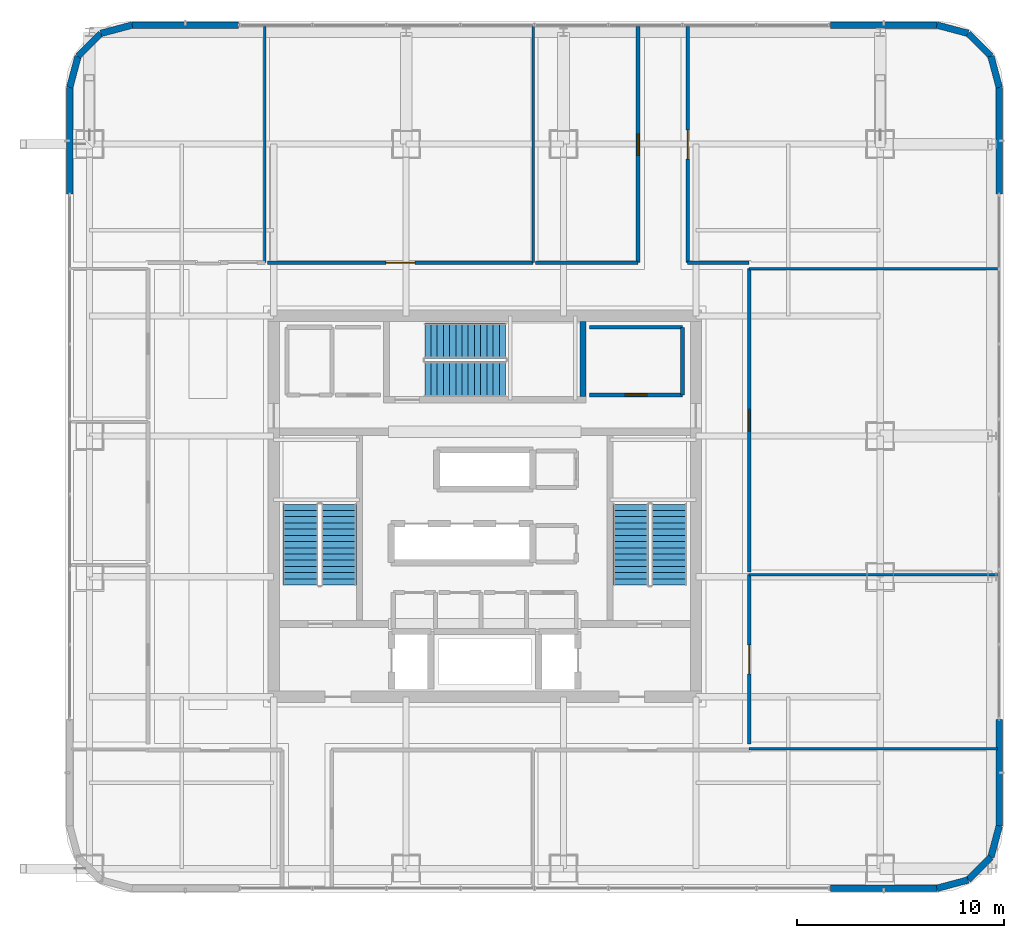
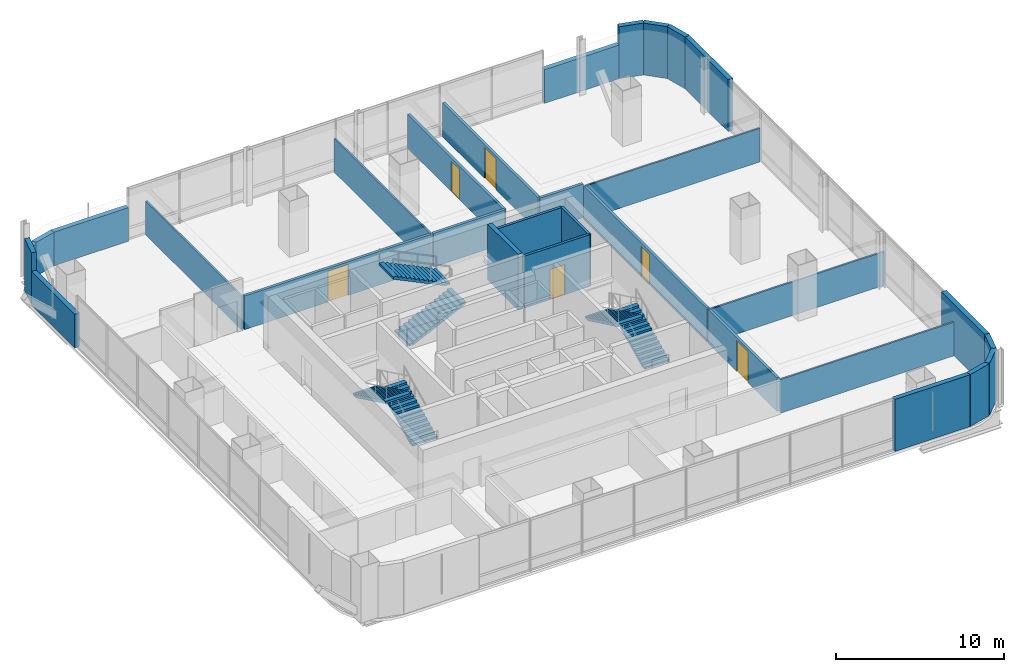
# One storey, part 38 of 51: 31 walls, 6 doors, 6 stair flights, 6 openings, 3 elements without a shape of their own.
"""IFC4 building model written with IfcOpenShell, lengths in metres."""

from ifc_helpers import new_model, si_unit, direction, frame, frame_2d, origin, place, context, subcontext, project, spatial, polyline, rectangle, outline, extrude, material, layer, layer_set, type_object, element, fill, aggregate, save


model = new_model("IFC4")

# Units and contexts
model_context = context("Model", 3, precision=1e-05, world=origin(), true_north=direction((0.0, 1.0)))
body_context = subcontext(model_context, "Body", "Model", "MODEL_VIEW")
ifc_project = project(units=[si_unit("LENGTHUNIT", "METRE"), si_unit("AREAUNIT", "SQUARE_METRE"), si_unit("VOLUMEUNIT", "CUBIC_METRE"), si_unit("PLANEANGLEUNIT", "RADIAN"), si_unit("MASSUNIT", "GRAM", prefix="KILO")], contexts=[model_context])

# Site, building, storey
site_placement = place(None, origin())
site = spatial("IfcSite", under=ifc_project, at=site_placement, CompositionType="ELEMENT")
building_placement = place(site_placement, origin())
building = spatial("IfcBuilding", under=site, at=building_placement, Name="Punatoya Terracotta Tower", CompositionType="ELEMENT")
storey_placement = place(building_placement, frame((0.0, 0.0, 279.75)))
storey = spatial("IfcBuildingStorey", under=building, at=storey_placement, Name="L66", CompositionType="ELEMENT", Elevation=279.75)

# Walls
ifc_material_1 = material(Name="Gypsum Fireboard + Steel Stud", Category="steel")
ifc_layer_1 = layer(ifc_material_1, 0.179931640625)
ifc_layer_set_1 = layer_set([ifc_layer_1], Name="Gypsum Fireboard + Steel Stud")
wall_type_1 = type_object("IfcWallType", Name="WL-CORR-180", PredefinedType="PARTITIONING", material=ifc_layer_set_1)
wall_1_placement = place(storey_placement, frame((9.550048828125, 5.3798828125, 0.0), z_axis=(0.0, 0.0, 1.0), x_axis=(0.0, 1.0, 0.0)))
element("IfcWall", 1, at=wall_1_placement, inside=storey, type_object=wall_type_1, Name="L66 East Core Wellness Room Partition 22", PredefinedType="PARTITIONING", context=body_context, shape_type="SweptSolid", body=[
    extrude(rectangle(XDim=3.27001953125, YDim=0.179931640625, at=frame_2d((1.635009765625, 0.0))), origin(), (0.0, 0.0, 1.0), 3.77001953125),
])
wall_2_placement = place(storey_placement, frame((9.550048828125, 8.64990234375, 0.0), z_axis=(0.0, 0.0, 1.0), x_axis=(-1.0, 0.0, 0.0)))
element("IfcWall", 2, at=wall_2_placement, inside=storey, type_object=wall_type_1, Name="L66 East Core Wellness Room Partition 23", PredefinedType="PARTITIONING", context=body_context, shape_type="SweptSolid", body=[
    extrude(rectangle(XDim=4.5, YDim=0.179931640625, at=frame_2d((2.25, 0.0))), origin(), (0.0, 0.0, 1.0), 3.77001953125),
])

# Wall, opening, door
wall_3_placement = place(storey_placement, frame((5.050048828125, 5.3798828125, 0.0), z_axis=(0.0, 0.0, 1.0), x_axis=(1.0, 0.0, 0.0)))
wall_3 = element("IfcWall", 3, at=wall_3_placement, inside=storey, type_object=wall_type_1, Name="L66 East Core Wellness Room Partition 24", PredefinedType="PARTITIONING", context=body_context, shape_type="SweptSolid", body=[
    extrude(rectangle(XDim=4.5, YDim=0.179931640625, at=frame_2d((2.25, 0.0))), origin(), (0.0, 0.0, 1.0), 3.77001953125),
])
opening_1_placement = place(wall_3_placement, frame((1.72509765625, 0.0, 0.0)))
opening_1 = element("IfcOpeningElement", 4, at=opening_1_placement, cuts=wall_3, Name="Opening OD-01", PredefinedType="OPENING", context=body_context, shape_type="SweptSolid", body=[
    extrude(rectangle(XDim=1.050048828125, YDim=2.199951171875, at=frame_2d((0.52490234375, 1.10009765625))), frame((0.0, 0.099853515625, 0.0), z_axis=(0.0, -1.0, 0.0), x_axis=(1.0, 0.0, 0.0)), (0.0, 0.0, 1.0), 0.199951171875),
])
ifc_material_2 = material(Name="Bengal Teak Solid-Core Leaf")
door_type_1 = type_object("IfcDoorType", Name="DR-OFF-1050", OperationType="NOTDEFINED", PredefinedType="DOOR", material=ifc_material_2)
door_1_placement = place(opening_1_placement, origin())
door_1 = element("IfcDoor", 5, at=door_1_placement, inside=storey, type_object=door_type_1, Name="L66 East Wellness Room Door", OperationType="SINGLE_SWING_RIGHT", OverallHeight=2.199951171875, OverallWidth=1.050048828125, PredefinedType="DOOR", context=body_context, shape_type="SweptSolid", body=[
    extrude(rectangle(XDim=1.050048828125, YDim=2.199951171875, at=frame_2d((0.52490234375, 1.10009765625))), frame((0.0, 0.02490234375, 0.0), z_axis=(0.0, -1.0, 0.0), x_axis=(1.0, 0.0, 0.0)), (0.0, 0.0, 1.0), 0.050048828125),
])
fill(opening_1, door_1)

wall_4_placement = place(storey_placement, frame((12.77001953125, -11.489990234375, 0.0), z_axis=(0.0, 0.0, 1.0), x_axis=(0.0, 1.0, 0.0)))
wall_4 = element("IfcWall", 6, at=wall_4_placement, inside=storey, type_object=wall_type_1, Name="L66 Open-Plan Executive Briefing Room Partition 33", PredefinedType="PARTITIONING", context=body_context, shape_type="SweptSolid", body=[
    extrude(rectangle(XDim=8.196044921875, YDim=0.179931640625, at=frame_2d((4.09814453125, 0.0))), origin(), (0.0, 0.0, 1.0), 2.444091796875),
])
opening_2_placement = place(wall_4_placement, frame((3.39794921875, 0.0, 0.0)))
opening_2 = element("IfcOpeningElement", 7, at=opening_2_placement, cuts=wall_4, Name="Opening BD-01", PredefinedType="OPENING", context=body_context, shape_type="SweptSolid", body=[
    extrude(rectangle(XDim=1.39990234375, YDim=2.25, at=frame_2d((0.699951171875, 1.125))), frame((0.0, 0.099853515625, 0.0), z_axis=(0.0, -1.0, 0.0), x_axis=(1.0, 0.0, 0.0)), (0.0, 0.0, 1.0), 0.199951171875),
])
ifc_material_3 = material(Name="Bengal Teak Acoustic Leaf")
door_type_2 = type_object("IfcDoorType", Name="DR-BRD-1400", OperationType="NOTDEFINED", PredefinedType="DOOR", material=ifc_material_3)
door_2_placement = place(opening_2_placement, origin())
door_2 = element("IfcDoor", 8, at=door_2_placement, inside=storey, type_object=door_type_2, Name="L66 Open-Plan Executive Briefing Room Door", OperationType="SINGLE_SWING_RIGHT", OverallHeight=2.25, OverallWidth=1.39990234375, PredefinedType="DOOR", context=body_context, shape_type="SweptSolid", body=[
    extrude(rectangle(XDim=1.39990234375, YDim=2.25, at=frame_2d((0.699951171875, 1.125))), frame((0.0, 0.02490234375, 0.0), z_axis=(0.0, -1.0, 0.0), x_axis=(1.0, 0.0, 0.0)), (0.0, 0.0, 1.0), 0.050048828125),
])
fill(opening_2, door_2)

wall_5_placement = place(storey_placement, frame((12.77001953125, -3.174072265625, 0.0), z_axis=(0.0, 0.0, 1.0), x_axis=(0.0, 1.0, 0.0)))
wall_5 = element("IfcWall", 9, at=wall_5_placement, inside=storey, type_object=wall_type_1, Name="L66 Wellness Focus Room Partition 39", PredefinedType="PARTITIONING", context=body_context, shape_type="SweptSolid", body=[
    extrude(rectangle(XDim=14.6640625, YDim=0.179931640625, at=frame_2d((7.33203125, 0.0))), origin(), (0.0, 0.0, 1.0), 2.444091796875),
])
opening_3_placement = place(wall_5_placement, frame((6.806884765625, 0.0, 0.0)))
opening_3 = element("IfcOpeningElement", 10, at=opening_3_placement, cuts=wall_5, Name="Opening OD-01", PredefinedType="OPENING", context=body_context, shape_type="SweptSolid", body=[
    extrude(rectangle(XDim=1.050048828125, YDim=2.199951171875, at=frame_2d((0.52490234375, 1.10009765625))), frame((0.0, 0.099853515625, 0.0), z_axis=(0.0, -1.0, 0.0), x_axis=(1.0, 0.0, 0.0)), (0.0, 0.0, 1.0), 0.199951171875),
])
door_3_placement = place(opening_3_placement, origin())
door_3 = element("IfcDoor", 11, at=door_3_placement, inside=storey, type_object=door_type_1, Name="L66 Wellness Focus Room Door", OperationType="SINGLE_SWING_LEFT", OverallHeight=2.199951171875, OverallWidth=1.050048828125, PredefinedType="DOOR", context=body_context, shape_type="SweptSolid", body=[
    extrude(rectangle(XDim=1.050048828125, YDim=2.199951171875, at=frame_2d((0.52490234375, 1.10009765625))), frame((0.0, 0.02490234375, 0.0), z_axis=(0.0, -1.0, 0.0), x_axis=(1.0, 0.0, 0.0)), (0.0, 0.0, 1.0), 0.050048828125),
])
fill(opening_3, door_3)

wall_6_placement = place(storey_placement, frame((9.800048828125, 11.77001953125, 0.0), z_axis=(0.0, 0.0, 1.0), x_axis=(0.0, 1.0, 0.0)))
wall_6 = element("IfcWall", 12, at=wall_6_placement, inside=storey, type_object=wall_type_1, Name="L66 Roundtable Conference Room Partition 47", PredefinedType="PARTITIONING", context=body_context, shape_type="SweptSolid", body=[
    extrude(rectangle(XDim=11.39990234375, YDim=0.179931640625, at=frame_2d((5.699951171875, 0.0))), origin(), (0.0, 0.0, 1.0), 2.444091796875),
])
opening_4_placement = place(wall_6_placement, frame((5.0, 0.0, 0.0)))
opening_4 = element("IfcOpeningElement", 13, at=opening_4_placement, cuts=wall_6, Name="Opening BD-01", PredefinedType="OPENING", context=body_context, shape_type="SweptSolid", body=[
    extrude(rectangle(XDim=1.39990234375, YDim=2.25, at=frame_2d((0.699951171875, 1.125))), frame((0.0, 0.099853515625, 0.0), z_axis=(0.0, -1.0, 0.0), x_axis=(1.0, 0.0, 0.0)), (0.0, 0.0, 1.0), 0.199951171875),
])
door_4_placement = place(opening_4_placement, origin())
door_4 = element("IfcDoor", 14, at=door_4_placement, inside=storey, type_object=door_type_2, Name="L66 Roundtable Conference Room Door", OperationType="SINGLE_SWING_RIGHT", OverallHeight=2.25, OverallWidth=1.39990234375, PredefinedType="DOOR", context=body_context, shape_type="SweptSolid", body=[
    extrude(rectangle(XDim=1.39990234375, YDim=2.25, at=frame_2d((0.699951171875, 1.125))), frame((0.0, 0.02490234375, 0.0), z_axis=(0.0, -1.0, 0.0), x_axis=(1.0, 0.0, 0.0)), (0.0, 0.0, 1.0), 0.050048828125),
])
fill(opening_4, door_4)

# Wall
wall_7_placement = place(storey_placement, frame((12.77001953125, 11.77001953125, 0.0), z_axis=(0.0, 0.0, 1.0), x_axis=(-1.0, 0.0, 0.0)))
element("IfcWall", 15, at=wall_7_placement, inside=storey, type_object=wall_type_1, Name="L66 Roundtable Conference Room Partition 48", PredefinedType="PARTITIONING", context=body_context, shape_type="SweptSolid", body=[
    extrude(rectangle(XDim=2.969970703125, YDim=0.179931640625, at=frame_2d((1.48486328125, 0.0))), origin(), (0.0, 0.0, 1.0), 2.444091796875),
])

# Wall, opening, door
wall_8_placement = place(storey_placement, frame((2.340087890625, 11.77001953125, 0.0), z_axis=(0.0, 0.0, 1.0), x_axis=(-1.0, 0.0, 0.0)))
wall_8 = element("IfcWall", 16, at=wall_8_placement, inside=storey, type_object=wall_type_1, Name="L66 Open-Plan Translation Conference Room Partition 50", PredefinedType="PARTITIONING", context=body_context, shape_type="SweptSolid", body=[
    extrude(rectangle(XDim=12.843994140625, YDim=0.179931640625, at=frame_2d((6.421875, 0.0))), origin(), (0.0, 0.0, 1.0), 2.444091796875),
])
opening_5_placement = place(wall_8_placement, frame((5.721923828125, 0.0, 0.0)))
opening_5 = element("IfcOpeningElement", 17, at=opening_5_placement, cuts=wall_8, Name="Opening BD-01", PredefinedType="OPENING", context=body_context, shape_type="SweptSolid", body=[
    extrude(rectangle(XDim=1.39990234375, YDim=2.25, at=frame_2d((0.699951171875, 1.125))), frame((0.0, 0.099853515625, 0.0), z_axis=(0.0, -1.0, 0.0), x_axis=(1.0, 0.0, 0.0)), (0.0, 0.0, 1.0), 0.199951171875),
])
door_5_placement = place(opening_5_placement, origin())
door_5 = element("IfcDoor", 18, at=door_5_placement, inside=storey, type_object=door_type_2, Name="L66 Open-Plan Translation Conference Room Door", OperationType="SINGLE_SWING_LEFT", OverallHeight=2.25, OverallWidth=1.39990234375, PredefinedType="DOOR", context=body_context, shape_type="SweptSolid", body=[
    extrude(rectangle(XDim=1.39990234375, YDim=2.25, at=frame_2d((0.699951171875, 1.125))), frame((0.0, 0.02490234375, 0.0), z_axis=(0.0, -1.0, 0.0), x_axis=(1.0, 0.0, 0.0)), (0.0, 0.0, 1.0), 0.050048828125),
])
fill(opening_5, door_5)

wall_9_placement = place(storey_placement, frame((7.39990234375, 23.169921875, 0.0), z_axis=(0.0, 0.0, 1.0), x_axis=(0.0, -1.0, 0.0)))
wall_9 = element("IfcWall", 19, at=wall_9_placement, inside=storey, type_object=wall_type_1, Name="L66 Open-Plan Plenary Seminar Room Partition 51", PredefinedType="PARTITIONING", context=body_context, shape_type="SweptSolid", body=[
    extrude(rectangle(XDim=11.39990234375, YDim=0.179931640625, at=frame_2d((5.699951171875, 0.0))), origin(), (0.0, 0.0, 1.0), 2.444091796875),
])
opening_6_placement = place(wall_9_placement, frame((5.18994140625, 0.0, 0.0)))
opening_6 = element("IfcOpeningElement", 20, at=opening_6_placement, cuts=wall_9, Name="Opening MD-01", PredefinedType="OPENING", context=body_context, shape_type="SweptSolid", body=[
    extrude(rectangle(XDim=1.02001953125, YDim=2.199951171875, at=frame_2d((0.510009765625, 1.10009765625))), frame((0.0, 0.099853515625, 0.0), z_axis=(0.0, -1.0, 0.0), x_axis=(1.0, 0.0, 0.0)), (0.0, 0.0, 1.0), 0.199951171875),
])
ifc_material_4 = material(Name="Aluminium + Acoustic Glass Leaf", Category="aluminium")
door_type_3 = type_object("IfcDoorType", Name="DR-MTG-1020", OperationType="NOTDEFINED", PredefinedType="DOOR", material=ifc_material_4)
door_6_placement = place(opening_6_placement, origin())
door_6 = element("IfcDoor", 21, at=door_6_placement, inside=storey, type_object=door_type_3, Name="L66 Open-Plan Plenary Seminar Room Door", OperationType="SINGLE_SWING_RIGHT", OverallHeight=2.199951171875, OverallWidth=1.02001953125, PredefinedType="DOOR", context=body_context, shape_type="SweptSolid", body=[
    extrude(rectangle(XDim=1.02001953125, YDim=2.199951171875, at=frame_2d((0.510009765625, 1.10009765625))), frame((0.0, 0.02490234375, 0.0), z_axis=(0.0, -1.0, 0.0), x_axis=(1.0, 0.0, 0.0)), (0.0, 0.0, 1.0), 0.050048828125),
])
fill(opening_6, door_6)

# Walls
wall_10_placement = place(storey_placement, frame((7.39990234375, 11.77001953125, 0.0), z_axis=(0.0, 0.0, 1.0), x_axis=(-1.0, 0.0, 0.0)))
element("IfcWall", 22, at=wall_10_placement, inside=storey, type_object=wall_type_1, Name="L66 Open-Plan Plenary Seminar Room Partition 52", PredefinedType="PARTITIONING", context=body_context, shape_type="SweptSolid", body=[
    extrude(rectangle(XDim=4.93994140625, YDim=0.179931640625, at=frame_2d((2.469970703125, 0.0))), origin(), (0.0, 0.0, 1.0), 2.444091796875),
])
ifc_material_5 = material(Name="Precast concrete C40/50", Category="concrete")
ifc_layer_2 = layer(ifc_material_5, 0.320068359375)
ifc_layer_set_2 = layer_set([ifc_layer_2], Name="Precast concrete C40/50")
wall_type_2 = type_object("IfcWallType", Name="WL-EXT-320", PredefinedType="SOLIDWALL", material=ifc_layer_set_2)
wall_11_placement = place(storey_placement, frame((16.699951171875, -18.449951171875, 0.0), z_axis=(0.0, 0.0, 1.0), x_axis=(1.0, 0.0, 0.0)))
element("IfcWall", 23, at=wall_11_placement, inside=storey, type_object=wall_type_2, Name="L66 Terracotta Braced Facade Wall S2", PredefinedType="SOLIDWALL", context=body_context, shape_type="SweptSolid", body=[
    extrude(rectangle(XDim=5.136962890625, YDim=0.320068359375, at=frame_2d((2.568359375, 0.0))), origin(), (0.0, 0.0, 1.0), 3.77001953125),
])
wall_12_placement = place(storey_placement, frame((21.8369140625, -18.449951171875, 0.0), z_axis=(0.0, 0.0, 1.0), x_axis=(0.966224582397, 0.257701486942, 0.0)))
element("IfcWall", 24, at=wall_12_placement, inside=storey, type_object=wall_type_2, Name="L66 Rounded Terracotta Corner Pier 02", PredefinedType="SOLIDWALL", context=body_context, shape_type="SweptSolid", body=[
    extrude(rectangle(XDim=1.565185546875, YDim=0.320068359375, at=frame_2d((0.78271484375, 0.0))), origin(), (0.0, 0.0, 1.0), 3.77001953125),
])
wall_13_placement = place(storey_placement, frame((23.34912109375, -18.046630859375, 0.0), z_axis=(0.0, 0.0, 1.0), x_axis=(0.707106781187, 0.707106781187, 0.0)))
element("IfcWall", 25, at=wall_13_placement, inside=storey, type_object=wall_type_2, Name="L66 Rounded Terracotta Corner Pier 03", PredefinedType="SOLIDWALL", context=body_context, shape_type="SweptSolid", body=[
    extrude(rectangle(XDim=1.552001953125, YDim=0.320068359375, at=frame_2d((0.77587890625, 0.0))), origin(), (0.0, 0.0, 1.0), 3.77001953125),
])
wall_14_placement = place(storey_placement, frame((24.446533203125, -16.94921875, 0.0), z_axis=(0.0, 0.0, 1.0), x_axis=(0.257847112249, 0.966185730957, 0.0)))
element("IfcWall", 26, at=wall_14_placement, inside=storey, type_object=wall_type_2, Name="L66 Rounded Terracotta Corner Pier 04", PredefinedType="SOLIDWALL", context=body_context, shape_type="SweptSolid", body=[
    extrude(rectangle(XDim=1.565185546875, YDim=0.320068359375, at=frame_2d((0.78271484375, 0.0))), origin(), (0.0, 0.0, 1.0), 3.77001953125),
])
wall_15_placement = place(storey_placement, frame((24.85009765625, -15.43701171875, 0.0), z_axis=(0.0, 0.0, 1.0), x_axis=(0.0, 1.0, 0.0)))
element("IfcWall", 27, at=wall_15_placement, inside=storey, type_object=wall_type_2, Name="L66 Terracotta Braced Facade Wall E1", PredefinedType="SOLIDWALL", context=body_context, shape_type="SweptSolid", body=[
    extrude(rectangle(XDim=5.136962890625, YDim=0.320068359375, at=frame_2d((2.568359375, 0.0))), origin(), (0.0, 0.0, 1.0), 3.77001953125),
])
wall_16_placement = place(storey_placement, frame((24.85009765625, 15.10009765625, 0.0), z_axis=(0.0, 0.0, 1.0), x_axis=(0.0, 1.0, 0.0)))
element("IfcWall", 28, at=wall_16_placement, inside=storey, type_object=wall_type_2, Name="L66 Terracotta Braced Facade Wall E2", PredefinedType="SOLIDWALL", context=body_context, shape_type="SweptSolid", body=[
    extrude(rectangle(XDim=5.13671875, YDim=0.320068359375, at=frame_2d((2.568359375, 0.0))), origin(), (0.0, 0.0, 1.0), 3.77001953125),
])
wall_17_placement = place(storey_placement, frame((24.85009765625, 20.23681640625, 0.0), z_axis=(0.0, 0.0, 1.0), x_axis=(-0.257847112249, 0.966185730957, 0.0)))
element("IfcWall", 29, at=wall_17_placement, inside=storey, type_object=wall_type_2, Name="L66 Rounded Terracotta Corner Pier 06", PredefinedType="SOLIDWALL", context=body_context, shape_type="SweptSolid", body=[
    extrude(rectangle(XDim=1.565185546875, YDim=0.320068359375, at=frame_2d((0.78271484375, 0.0))), origin(), (0.0, 0.0, 1.0), 3.77001953125),
])
wall_18_placement = place(storey_placement, frame((24.446533203125, 21.7490234375, 0.0), z_axis=(0.0, 0.0, 1.0), x_axis=(-0.707028130747, 0.707185422879, 0.0)))
element("IfcWall", 30, at=wall_18_placement, inside=storey, type_object=wall_type_2, Name="L66 Rounded Terracotta Corner Pier 07", PredefinedType="SOLIDWALL", context=body_context, shape_type="SweptSolid", body=[
    extrude(rectangle(XDim=1.55224609375, YDim=0.320068359375, at=frame_2d((0.776123046875, 0.0))), origin(), (0.0, 0.0, 1.0), 3.77001953125),
])
wall_19_placement = place(storey_placement, frame((23.34912109375, 22.8466796875, 0.0), z_axis=(0.0, 0.0, 1.0), x_axis=(-0.966224582397, 0.257701486942, 0.0)))
element("IfcWall", 31, at=wall_19_placement, inside=storey, type_object=wall_type_2, Name="L66 Rounded Terracotta Corner Pier 08", PredefinedType="SOLIDWALL", context=body_context, shape_type="SweptSolid", body=[
    extrude(rectangle(XDim=1.565185546875, YDim=0.320068359375, at=frame_2d((0.78271484375, 0.0))), origin(), (0.0, 0.0, 1.0), 3.77001953125),
])
for number, where, z_axis, x_axis, name in (
    (32, (21.8369140625, 23.25, 0.0), (0.0, 0.0, 1.0), (-1.0, 0.0, 0.0), "L66 Terracotta Braced Facade Wall N1"),
    (33, (-11.89990234375, 23.25, 0.0), (0.0, 0.0, 1.0), (-1.0, 0.0, 0.0), "L66 Terracotta Braced Facade Wall N2"),
):
    element("IfcWall", number, at=place(storey_placement, frame(where, z_axis=z_axis, x_axis=x_axis)), inside=storey, type_object=wall_type_2, Name=name, PredefinedType="SOLIDWALL", context=body_context, shape_type="SweptSolid", body=[
        extrude(rectangle(XDim=5.136962890625, YDim=0.320068359375, at=frame_2d((2.568359375, 0.0))), origin(), (0.0, 0.0, 1.0), 2.444091796875),
    ])
wall_20_placement = place(storey_placement, frame((-17.036865234375, 23.25, 0.0), z_axis=(0.0, 0.0, 1.0), x_axis=(-0.966224582397, -0.257701486942, 0.0)))
element("IfcWall", 34, at=wall_20_placement, inside=storey, type_object=wall_type_2, Name="L66 Rounded Terracotta Corner Pier 10", PredefinedType="SOLIDWALL", context=body_context, shape_type="SweptSolid", body=[
    extrude(rectangle(XDim=1.565185546875, YDim=0.320068359375, at=frame_2d((0.78271484375, 0.0))), origin(), (0.0, 0.0, 1.0), 2.444091796875),
])
wall_21_placement = place(storey_placement, frame((-18.549072265625, 22.8466796875, 0.0), z_axis=(0.0, 0.0, 1.0), x_axis=(-0.707028130747, -0.707185422879, 0.0)))
element("IfcWall", 35, at=wall_21_placement, inside=storey, type_object=wall_type_2, Name="L66 Rounded Terracotta Corner Pier 11", PredefinedType="SOLIDWALL", context=body_context, shape_type="SweptSolid", body=[
    extrude(rectangle(XDim=1.55224609375, YDim=0.320068359375, at=frame_2d((0.776123046875, 0.0))), origin(), (0.0, 0.0, 1.0), 2.444091796875),
])
wall_22_placement = place(storey_placement, frame((-19.646484375, 21.7490234375, 0.0), z_axis=(0.0, 0.0, 1.0), x_axis=(-0.257847112249, -0.966185730957, 0.0)))
element("IfcWall", 36, at=wall_22_placement, inside=storey, type_object=wall_type_2, Name="L66 Rounded Terracotta Corner Pier 12", PredefinedType="SOLIDWALL", context=body_context, shape_type="SweptSolid", body=[
    extrude(rectangle(XDim=1.565185546875, YDim=0.320068359375, at=frame_2d((0.78271484375, 0.0))), origin(), (0.0, 0.0, 1.0), 3.77001953125),
])
wall_23_placement = place(storey_placement, frame((-20.050048828125, 20.23681640625, 0.0), z_axis=(0.0, 0.0, 1.0), x_axis=(0.0, -1.0, 0.0)))
element("IfcWall", 37, at=wall_23_placement, inside=storey, type_object=wall_type_2, Name="L66 Terracotta Braced Facade Wall W1", PredefinedType="SOLIDWALL", context=body_context, shape_type="SweptSolid", body=[
    extrude(rectangle(XDim=5.13671875, YDim=0.320068359375, at=frame_2d((2.568359375, 0.0))), origin(), (0.0, 0.0, 1.0), 2.444091796875),
])
ifc_material_6 = material(Name="Gypsum Partition + Steel Stud", Category="steel")
ifc_layer_3 = layer(ifc_material_6, 0.1201171875)
ifc_layer_set_3 = layer_set([ifc_layer_3], Name="Gypsum Partition + Steel Stud")
wall_type_3 = type_object("IfcWallType", Name="WL-OFF-120", PredefinedType="PARTITIONING", material=ifc_layer_set_3)
for number, where, z_axis, x_axis, name in (
    (38, (12.77001953125, -11.7099609375, 0.0), (0.0, 0.0, 1.0), (1.0, 0.0, 0.0), "L66 Open-Plan Collaborative Workshop Room Partition 32"),
    (39, (12.77001953125, -3.2939453125, 0.0), (0.0, 0.0, 1.0), (1.0, 0.0, 0.0), "L66 Open-Plan Executive Briefing Room Partition 34"),
    (40, (12.77001953125, 11.489990234375, 0.0), (0.0, 0.0, 1.0), (1.0, 0.0, 0.0), "L66 Wellness Focus Room Partition 40"),
):
    element("IfcWall", number, at=place(storey_placement, frame(where, z_axis=z_axis, x_axis=x_axis)), inside=storey, type_object=wall_type_3, Name=name, PredefinedType="PARTITIONING", context=body_context, shape_type="SweptSolid", body=[
        extrude(rectangle(XDim=12.0, YDim=0.1201171875, at=frame_2d((6.0, 0.0))), origin(), (0.0, 0.0, 1.0), 2.444091796875),
    ])
for number, where, z_axis, x_axis, name in (
    (41, (-10.6240234375, 23.169921875, 0.0), (0.0, 0.0, 1.0), (0.0, -1.0, 0.0), "L66 Open-Plan Symposium Colloquium Room Partition 43"),
    (42, (2.340087890625, 23.169921875, 0.0), (0.0, 0.0, 1.0), (0.0, -1.0, 0.0), "L66 Open-Plan Translation Conference Room Partition 49"),
):
    element("IfcWall", number, at=place(storey_placement, frame(where, z_axis=z_axis, x_axis=x_axis)), inside=storey, type_object=wall_type_3, Name=name, PredefinedType="PARTITIONING", context=body_context, shape_type="SweptSolid", body=[
        extrude(rectangle(XDim=11.39990234375, YDim=0.1201171875, at=frame_2d((5.699951171875, 0.0))), origin(), (0.0, 0.0, 1.0), 2.444091796875),
    ])
ifc_material_7 = material(Name="Concrete C40/50", Category="concrete")
ifc_layer_4 = layer(ifc_material_7, 0.300048828125)
ifc_layer_set_4 = layer_set([ifc_layer_4], Name="Concrete C40/50")
wall_type_4 = type_object("IfcWallType", Name="WL-SHF-300", PredefinedType="SOLIDWALL", material=ifc_layer_set_4)
wall_24_placement = place(storey_placement, frame((4.75, 8.925048828125, 0.0), z_axis=(0.0, 0.0, 1.0), x_axis=(0.0, -1.0, 0.0)))
element("IfcWall", 43, at=wall_24_placement, inside=storey, type_object=wall_type_4, Name="L66 Structural Stair Shaft Wall SW-ST3-E", PredefinedType="SOLIDWALL", context=body_context, shape_type="SweptSolid", body=[
    extrude(rectangle(XDim=3.625, YDim=0.300048828125, at=frame_2d((1.8125, 0.0))), origin(), (0.0, 0.0, 1.0), 4.050048828125),
])

# Stair, stair flights
stair_type_1 = type_object("IfcStairType", Name="STR-CORE-1550", PredefinedType="HALF_TURN_STAIR", material=ifc_material_7)
stair_1_placement = place(storey_placement, origin())
stair_1 = element("IfcStair", 44, at=stair_1_placement, inside=storey, type_object=stair_type_1, Name="L66 Protected Core Exit Stair ST-1", PredefinedType="HALF_TURN_STAIR")
stair_flight_type_1 = type_object("IfcStairFlightType", Name="SFL-CORE-1550", PredefinedType="STRAIGHT", material=ifc_material_7)
stair_flight_1_placement = place(storey_placement, frame((-7.050048828125, -3.800048828125, 0.0), z_axis=(0.0, 0.0, 1.0), x_axis=(0.0, 1.0, 0.0)))
stair_flight_1 = element("IfcStairFlight", 45, at=stair_flight_1_placement, type_object=stair_flight_type_1, Name="ST-1 flight 1", NumberOfRisers=14, NumberOfTreads=13, PredefinedType="STRAIGHT", RiserHeight=0.144642857, TreadLength=0.3, context=body_context, shape_type="SweptSolid", body=[
    extrude(outline(polyline([(0.0, 0.0), (0.0, 0.14453125), (0.300048828125, 0.14453125), (0.300048828125, 0.289306640625), (0.60009765625, 0.289306640625), (0.60009765625, 0.433837890625), (0.89990234375, 0.433837890625), (0.89990234375, 0.57861328125), (1.199951171875, 0.57861328125), (1.199951171875, 0.72314453125), (1.5, 0.72314453125), (1.5, 0.867919921875), (1.800048828125, 0.867919921875), (1.800048828125, 1.012451171875), (2.10009765625, 1.012451171875), (2.10009765625, 1.1572265625), (2.39990234375, 1.1572265625), (2.39990234375, 1.3017578125), (2.699951171875, 1.3017578125), (2.699951171875, 1.446533203125), (3.0, 1.446533203125), (3.0, 1.591064453125), (3.300048828125, 1.591064453125), (3.300048828125, 1.735595703125), (3.60009765625, 1.735595703125), (3.60009765625, 1.88037109375), (3.89990234375, 1.88037109375), (3.89990234375, 2.02490234375), (3.89990234375, 1.7138671875), (0.34521484375, 0.0), (0.0, 0.0)])), frame((0.0, 0.85009765625, 0.0), z_axis=(0.0, -1.0, 0.0), x_axis=(1.0, 0.0, 0.0)), (0.0, 0.0, 1.0), 1.699951171875),
])
stair_flight_2_placement = place(storey_placement, frame((-8.89990234375, 0.10009765625, 2.02490234375), z_axis=(0.0, 0.0, 1.0), x_axis=(0.0, -1.0, 0.0)))
stair_flight_2 = element("IfcStairFlight", 46, at=stair_flight_2_placement, type_object=stair_flight_type_1, Name="ST-1 flight 2", NumberOfRisers=14, NumberOfTreads=13, PredefinedType="STRAIGHT", RiserHeight=0.144642857, TreadLength=0.3, context=body_context, shape_type="SweptSolid", body=[
    extrude(outline(polyline([(0.0, 0.0), (0.0, 0.14453125), (0.300048828125, 0.14453125), (0.300048828125, 0.289306640625), (0.60009765625, 0.289306640625), (0.60009765625, 0.433837890625), (0.89990234375, 0.433837890625), (0.89990234375, 0.57861328125), (1.199951171875, 0.57861328125), (1.199951171875, 0.72314453125), (1.5, 0.72314453125), (1.5, 0.867919921875), (1.800048828125, 0.867919921875), (1.800048828125, 1.012451171875), (2.10009765625, 1.012451171875), (2.10009765625, 1.1572265625), (2.39990234375, 1.1572265625), (2.39990234375, 1.3017578125), (2.699951171875, 1.3017578125), (2.699951171875, 1.446533203125), (3.0, 1.446533203125), (3.0, 1.591064453125), (3.300048828125, 1.591064453125), (3.300048828125, 1.735595703125), (3.60009765625, 1.735595703125), (3.60009765625, 1.88037109375), (3.89990234375, 1.88037109375), (3.89990234375, 2.02490234375), (3.89990234375, 1.7138671875), (0.34521484375, 0.0), (0.0, 0.0)])), frame((0.0, 0.85009765625, 0.0), z_axis=(0.0, -1.0, 0.0), x_axis=(1.0, 0.0, 0.0)), (0.0, 0.0, 1.0), 1.699951171875),
])
aggregate(stair_1, [stair_flight_1, stair_flight_2])

stair_type_2 = type_object("IfcStairType", Name="STR-LOB-1650", PredefinedType="HALF_TURN_STAIR", material=ifc_material_7)
stair_2_placement = place(storey_placement, origin())
stair_2 = element("IfcStair", 47, at=stair_2_placement, inside=storey, type_object=stair_type_2, Name="L66 Protected Core Exit Stair ST-2", PredefinedType="HALF_TURN_STAIR")
stair_flight_type_2 = type_object("IfcStairFlightType", Name="SFL-LOB-1650", PredefinedType="STRAIGHT", material=ifc_material_7)
stair_flight_3_placement = place(storey_placement, frame((8.89990234375, -3.800048828125, 0.0), z_axis=(0.0, 0.0, 1.0), x_axis=(0.0, 1.0, 0.0)))
stair_flight_3 = element("IfcStairFlight", 48, at=stair_flight_3_placement, type_object=stair_flight_type_2, Name="ST-2 flight 1", NumberOfRisers=14, NumberOfTreads=13, PredefinedType="STRAIGHT", RiserHeight=0.144642857, TreadLength=0.3, context=body_context, shape_type="SweptSolid", body=[
    extrude(outline(polyline([(0.0, 0.0), (0.0, 0.14453125), (0.300048828125, 0.14453125), (0.300048828125, 0.289306640625), (0.60009765625, 0.289306640625), (0.60009765625, 0.433837890625), (0.89990234375, 0.433837890625), (0.89990234375, 0.57861328125), (1.199951171875, 0.57861328125), (1.199951171875, 0.72314453125), (1.5, 0.72314453125), (1.5, 0.867919921875), (1.800048828125, 0.867919921875), (1.800048828125, 1.012451171875), (2.10009765625, 1.012451171875), (2.10009765625, 1.1572265625), (2.39990234375, 1.1572265625), (2.39990234375, 1.3017578125), (2.699951171875, 1.3017578125), (2.699951171875, 1.446533203125), (3.0, 1.446533203125), (3.0, 1.591064453125), (3.300048828125, 1.591064453125), (3.300048828125, 1.735595703125), (3.60009765625, 1.735595703125), (3.60009765625, 1.88037109375), (3.89990234375, 1.88037109375), (3.89990234375, 2.02490234375), (3.89990234375, 1.7138671875), (0.34521484375, 0.0), (0.0, 0.0)])), frame((0.0, 0.85009765625, 0.0), z_axis=(0.0, -1.0, 0.0), x_axis=(1.0, 0.0, 0.0)), (0.0, 0.0, 1.0), 1.699951171875),
])
stair_flight_4_placement = place(storey_placement, frame((7.050048828125, 0.10009765625, 2.02490234375), z_axis=(0.0, 0.0, 1.0), x_axis=(0.0, -1.0, 0.0)))
stair_flight_4 = element("IfcStairFlight", 49, at=stair_flight_4_placement, type_object=stair_flight_type_2, Name="ST-2 flight 2", NumberOfRisers=14, NumberOfTreads=13, PredefinedType="STRAIGHT", RiserHeight=0.144642857, TreadLength=0.3, context=body_context, shape_type="SweptSolid", body=[
    extrude(outline(polyline([(0.0, 0.0), (0.0, 0.14453125), (0.300048828125, 0.14453125), (0.300048828125, 0.289306640625), (0.60009765625, 0.289306640625), (0.60009765625, 0.433837890625), (0.89990234375, 0.433837890625), (0.89990234375, 0.57861328125), (1.199951171875, 0.57861328125), (1.199951171875, 0.72314453125), (1.5, 0.72314453125), (1.5, 0.867919921875), (1.800048828125, 0.867919921875), (1.800048828125, 1.012451171875), (2.10009765625, 1.012451171875), (2.10009765625, 1.1572265625), (2.39990234375, 1.1572265625), (2.39990234375, 1.3017578125), (2.699951171875, 1.3017578125), (2.699951171875, 1.446533203125), (3.0, 1.446533203125), (3.0, 1.591064453125), (3.300048828125, 1.591064453125), (3.300048828125, 1.735595703125), (3.60009765625, 1.735595703125), (3.60009765625, 1.88037109375), (3.89990234375, 1.88037109375), (3.89990234375, 2.02490234375), (3.89990234375, 1.7138671875), (0.34521484375, 0.0), (0.0, 0.0)])), frame((0.0, 0.85009765625, 0.0), z_axis=(0.0, -1.0, 0.0), x_axis=(1.0, 0.0, 0.0)), (0.0, 0.0, 1.0), 1.699951171875),
])
aggregate(stair_2, [stair_flight_3, stair_flight_4])

stair_type_3 = type_object("IfcStairType", Name="STR-TER-1450", PredefinedType="HALF_TURN_STAIR", material=ifc_material_7)
stair_3_placement = place(storey_placement, origin())
stair_3 = element("IfcStair", 50, at=stair_3_placement, inside=storey, type_object=stair_type_3, Name="L66 Protected Core Exit Stair ST-3", PredefinedType="HALF_TURN_STAIR")
stair_flight_type_3 = type_object("IfcStairFlightType", Name="SFL-TER-1450", PredefinedType="STRAIGHT", material=ifc_material_7)
stair_flight_5_placement = place(storey_placement, frame((-2.89990234375, 6.14990234375, 0.0), z_axis=(0.0, 0.0, 1.0), x_axis=(1.0, 0.0, 0.0)))
stair_flight_5 = element("IfcStairFlight", 51, at=stair_flight_5_placement, type_object=stair_flight_type_3, Name="ST-3 flight 1", NumberOfRisers=14, NumberOfTreads=13, PredefinedType="STRAIGHT", RiserHeight=0.144642857, TreadLength=0.3, context=body_context, shape_type="SweptSolid", body=[
    extrude(outline(polyline([(0.0, 0.0), (0.0, 0.14453125), (0.300048828125, 0.14453125), (0.300048828125, 0.289306640625), (0.60009765625, 0.289306640625), (0.60009765625, 0.433837890625), (0.89990234375, 0.433837890625), (0.89990234375, 0.57861328125), (1.199951171875, 0.57861328125), (1.199951171875, 0.72314453125), (1.5, 0.72314453125), (1.5, 0.867919921875), (1.800048828125, 0.867919921875), (1.800048828125, 1.012451171875), (2.10009765625, 1.012451171875), (2.10009765625, 1.1572265625), (2.39990234375, 1.1572265625), (2.39990234375, 1.3017578125), (2.699951171875, 1.3017578125), (2.699951171875, 1.446533203125), (3.0, 1.446533203125), (3.0, 1.591064453125), (3.300048828125, 1.591064453125), (3.300048828125, 1.735595703125), (3.60009765625, 1.735595703125), (3.60009765625, 1.88037109375), (3.89990234375, 1.88037109375), (3.89990234375, 2.02490234375), (3.89990234375, 1.7138671875), (0.34521484375, 0.0), (0.0, 0.0)])), frame((0.0, 0.85009765625, 0.0), z_axis=(0.0, -1.0, 0.0), x_axis=(1.0, 0.0, 0.0)), (0.0, 0.0, 1.0), 1.699951171875),
])
stair_flight_6_placement = place(storey_placement, frame((1.0, 8.0, 2.02490234375), z_axis=(0.0, 0.0, 1.0), x_axis=(-1.0, 0.0, 0.0)))
stair_flight_6 = element("IfcStairFlight", 52, at=stair_flight_6_placement, type_object=stair_flight_type_3, Name="ST-3 flight 2", NumberOfRisers=14, NumberOfTreads=13, PredefinedType="STRAIGHT", RiserHeight=0.144642857, TreadLength=0.3, context=body_context, shape_type="SweptSolid", body=[
    extrude(outline(polyline([(0.0, 0.0), (0.0, 0.14453125), (0.300048828125, 0.14453125), (0.300048828125, 0.289306640625), (0.60009765625, 0.289306640625), (0.60009765625, 0.433837890625), (0.89990234375, 0.433837890625), (0.89990234375, 0.57861328125), (1.199951171875, 0.57861328125), (1.199951171875, 0.72314453125), (1.5, 0.72314453125), (1.5, 0.867919921875), (1.800048828125, 0.867919921875), (1.800048828125, 1.012451171875), (2.10009765625, 1.012451171875), (2.10009765625, 1.1572265625), (2.39990234375, 1.1572265625), (2.39990234375, 1.3017578125), (2.699951171875, 1.3017578125), (2.699951171875, 1.446533203125), (3.0, 1.446533203125), (3.0, 1.591064453125), (3.300048828125, 1.591064453125), (3.300048828125, 1.735595703125), (3.60009765625, 1.735595703125), (3.60009765625, 1.88037109375), (3.89990234375, 1.88037109375), (3.89990234375, 2.02490234375), (3.89990234375, 1.7138671875), (0.34521484375, 0.0), (0.0, 0.0)])), frame((0.0, 0.85009765625, 0.0), z_axis=(0.0, -1.0, 0.0), x_axis=(1.0, 0.0, 0.0)), (0.0, 0.0, 1.0), 1.699951171875),
])
aggregate(stair_3, [stair_flight_5, stair_flight_6])

save(model, "model.ifc")
